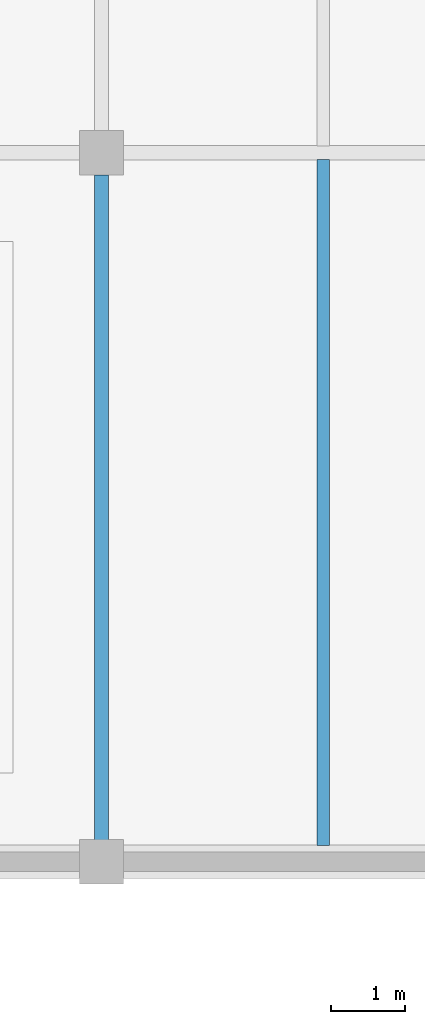
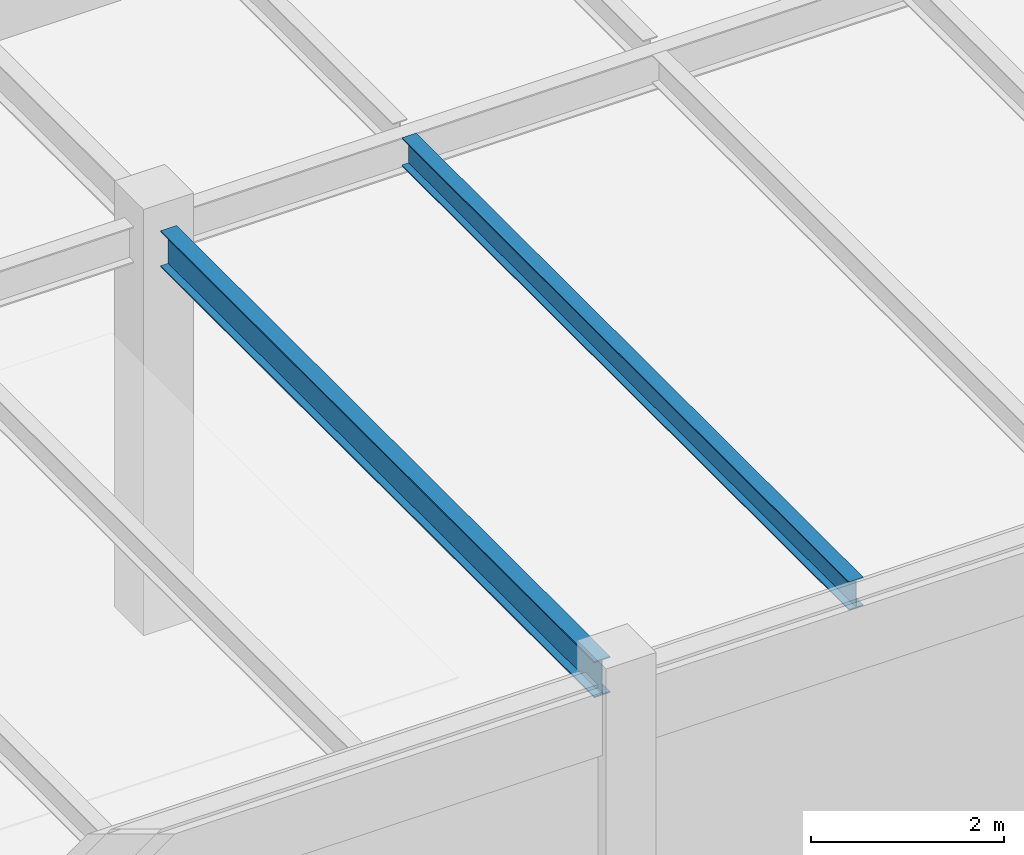
# One storey, part 86 of 188: 2 beams.
"""IFC4 building model written with IfcOpenShell, lengths in metres."""

from ifc_helpers import new_model, si_unit, direction, frame, origin, origin_2d, place, context, subcontext, project, spatial, i_section, extrude, material, material_profile, profile_set, type_object, element, save


model = new_model("IFC4")

# Units and contexts
model_context = context("Model", 3, precision=1e-05, world=origin(), true_north=direction((0.0, 1.0)))
body_context = subcontext(model_context, "Body", "Model", "MODEL_VIEW")
ifc_project = project(units=[si_unit("LENGTHUNIT", "METRE"), si_unit("AREAUNIT", "SQUARE_METRE"), si_unit("VOLUMEUNIT", "CUBIC_METRE"), si_unit("PLANEANGLEUNIT", "RADIAN"), si_unit("MASSUNIT", "GRAM", prefix="KILO")], contexts=[model_context])

# Site, building, storey
site_placement = place(None, origin())
site = spatial("IfcSite", under=ifc_project, at=site_placement, CompositionType="ELEMENT")
building_placement = place(site_placement, origin())
building = spatial("IfcBuilding", under=site, at=building_placement, Name="Pandanus Reach Market Hall", CompositionType="ELEMENT")
storey_placement = place(building_placement, origin())
storey = spatial("IfcBuildingStorey", under=building, at=storey_placement, Name="L00", CompositionType="ELEMENT", Elevation=0.0)

# Beams
ifc_material = material(Name="Steel Grade 350 (350 MPa)", Category="steel")
ifc_material_profile_1 = material_profile(ifc_material, i_section(OverallWidth=0.19091796875, OverallDepth=0.4599609375, WebThickness=0.010009765625, FlangeThickness=0.01611328125, at=origin_2d()), Name="460UB82.1", Category="LoadBearing")
ifc_profile_set_1 = profile_set([ifc_material_profile_1], Name="Steel Grade 350 (350 MPa)")
beam_type_1 = type_object("IfcBeamType", Name="BM-UB460H-I", PredefinedType="BEAM", material=ifc_profile_set_1)
beam_1_placement = place(storey_placement, frame((156.0, 0.298095703125, 4.82958984375), z_axis=(0.0, 1.0, 0.0), x_axis=(-1.0, 0.0, 0.0)))
element("IfcBeam", 1, at=beam_1_placement, inside=storey, type_object=beam_type_1, Name="Framing beam BM-UB460H-I L00.198", PredefinedType="BEAM", context=body_context, shape_type="SweptSolid", body=[
    extrude(i_section(OverallWidth=0.19091796875, OverallDepth=0.4599609375, WebThickness=0.010009765625, FlangeThickness=0.01611328125, at=origin_2d()), origin(), (0.0, 0.0, 1.0), 9.00390625),
])
ifc_material_profile_2 = material_profile(ifc_material, i_section(OverallWidth=0.172119140625, OverallDepth=0.35888671875, WebThickness=0.008056640625, FlangeThickness=0.012939453125, at=origin_2d()), Name="360UB56.7", Category="LoadBearing")
ifc_profile_set_2 = profile_set([ifc_material_profile_2], Name="Steel Grade 350 (350 MPa)")
beam_type_2 = type_object("IfcBeamType", Name="JS-UB360H-I", PredefinedType="JOIST", material=ifc_profile_set_2)
beam_2_placement = place(storey_placement, frame((159.0, 0.222900390625, 4.880126953125), z_axis=(0.0, 1.0, 0.0), x_axis=(-1.0, 0.0, 0.0)))
element("IfcBeam", 2, at=beam_2_placement, inside=storey, type_object=beam_type_2, Name="Secondary joist JS-UB360H-I L00.255", PredefinedType="JOIST", context=body_context, shape_type="SweptSolid", body=[
    extrude(i_section(OverallWidth=0.172119140625, OverallDepth=0.35888671875, WebThickness=0.008056640625, FlangeThickness=0.012939453125, at=origin_2d()), origin(), (0.0, 0.0, 1.0), 9.28369140625),
])

save(model, "model.ifc")
